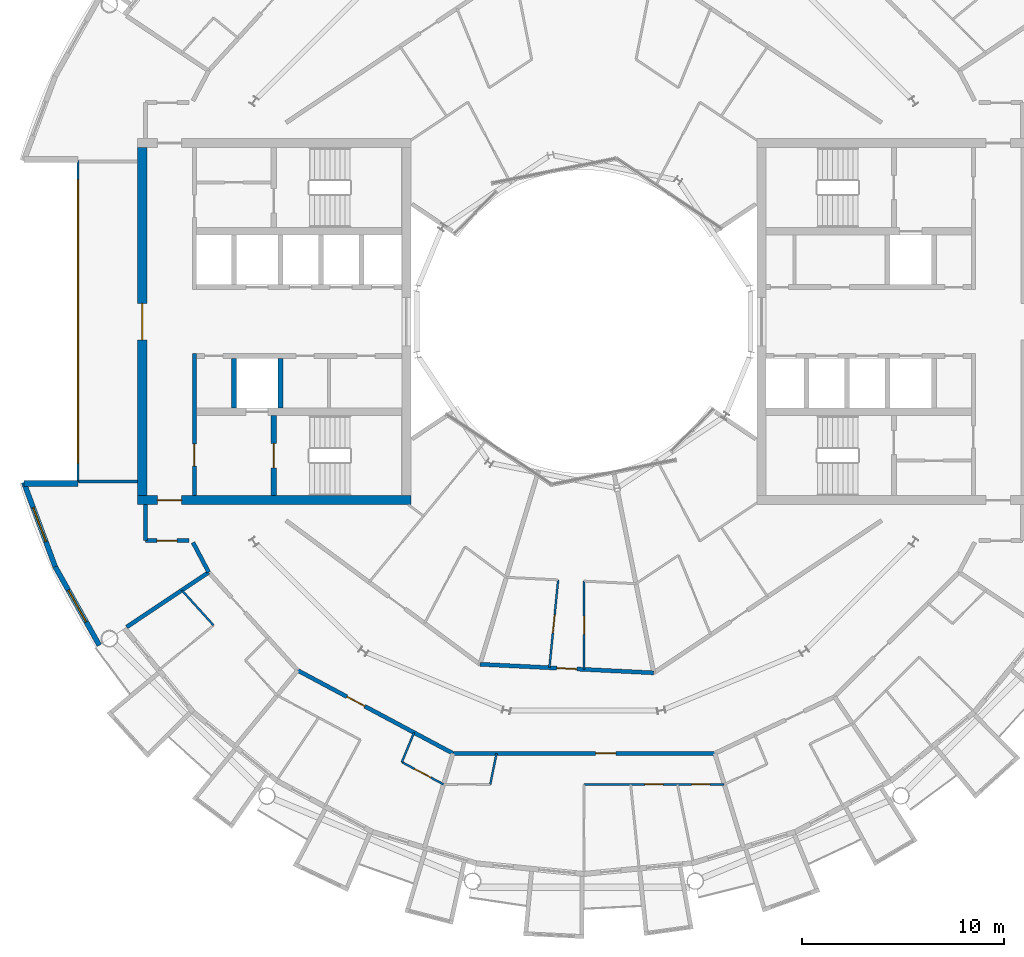
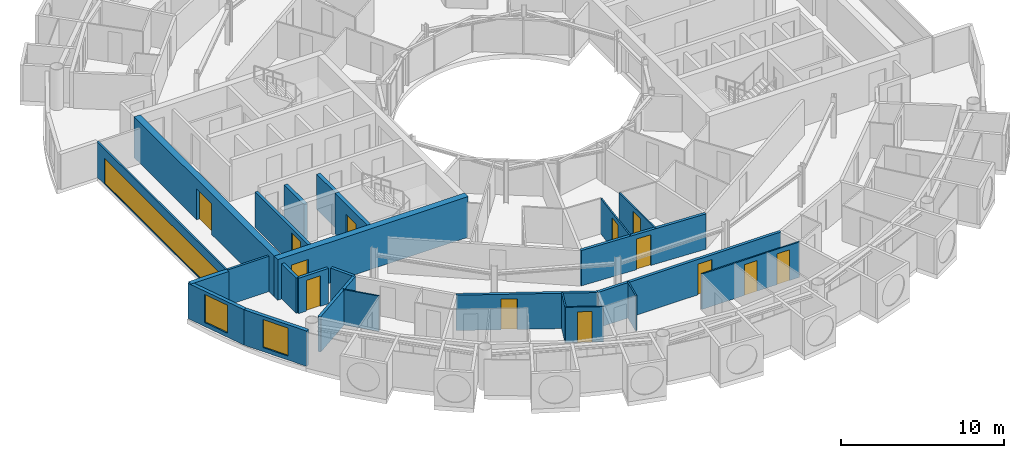
# One storey, part 16 of 28: 25 walls, 13 doors, 3 windows, 16 openings.
"""IFC4 building model written with IfcOpenShell, lengths in metres."""

from ifc_helpers import new_model, si_unit, direction, frame, frame_2d, origin, place, context, subcontext, project, spatial, rectangle, extrude, material, layer, layer_set, type_object, element, fill, save


model = new_model("IFC4")

# Units and contexts
model_context = context("Model", 3, precision=1e-05, world=origin(), true_north=direction((0.0, 1.0)))
body_context = subcontext(model_context, "Body", "Model", "MODEL_VIEW")
ifc_project = project(units=[si_unit("LENGTHUNIT", "METRE"), si_unit("AREAUNIT", "SQUARE_METRE"), si_unit("VOLUMEUNIT", "CUBIC_METRE"), si_unit("PLANEANGLEUNIT", "RADIAN"), si_unit("MASSUNIT", "GRAM", prefix="KILO")], contexts=[model_context])

# Site, building, storey
site_placement = place(None, origin())
site = spatial("IfcSite", under=ifc_project, at=site_placement, CompositionType="ELEMENT")
building_placement = place(site_placement, origin())
building = spatial("IfcBuilding", under=site, at=building_placement, Name="Maasbend Ring Residences", CompositionType="ELEMENT")
storey_placement = place(building_placement, frame((0.0, 0.0, 218.800048828125)))
storey = spatial("IfcBuildingStorey", under=building, at=storey_placement, Name="L63", CompositionType="ELEMENT", Elevation=218.800048828125)

# Wall, opening, door
ifc_material_1 = material(Name="Concrete C50/60", Category="concrete")
ifc_layer_1 = layer(ifc_material_1, 0.25)
ifc_layer_set_1 = layer_set([ifc_layer_1], Name="Concrete C50/60")
wall_type_1 = type_object("IfcWallType", Name="CORE WALL 250 C50/60", PredefinedType="SHEAR", material=ifc_layer_set_1)
wall_1_placement = place(storey_placement, frame((-15.324951171875, -4.64990234375, 0.0), z_axis=(0.0, 0.0, 1.0), x_axis=(0.0, -1.0, 0.0)))
wall_1 = element("IfcWall", 1, at=wall_1_placement, inside=storey, type_object=wall_type_1, Name="L63 core W wall STEN", PredefinedType="SHEAR", context=body_context, shape_type="SweptSolid", body=[
    extrude(rectangle(XDim=3.9501953125, YDim=0.25, at=frame_2d((1.97509765625, 0.0))), origin(), (0.0, 0.0, 1.0), 3.050048828125),
])
opening_1_placement = place(wall_1_placement, frame((1.375, 0.0, 0.0)))
opening_1 = element("IfcOpeningElement", 2, at=opening_1_placement, cuts=wall_1, Name="Opening D-W6310", PredefinedType="OPENING", context=body_context, shape_type="SweptSolid", body=[
    extrude(rectangle(XDim=1.199951171875, YDim=2.300048828125, at=frame_2d((0.60009765625, 1.14990234375))), frame((0.0, 0.135009765625, 0.0), z_axis=(0.0, -1.0, 0.0), x_axis=(1.0, 0.0, 0.0)), (0.0, 0.0, 1.0), 0.27001953125),
])
ifc_material_2 = material(Name="Steel, powder coated", Category="steel")
door_type_1 = type_object("IfcDoorType", Name="STAIR DOOR 1200 X 2300 FD60", OperationType="NOTDEFINED", PredefinedType="DOOR", material=ifc_material_2)
door_1_placement = place(opening_1_placement, origin())
door_1 = element("IfcDoor", 3, at=door_1_placement, inside=storey, type_object=door_type_1, Name="Stair door ST-W L63", OperationType="SINGLE_SWING_LEFT", OverallHeight=2.300048828125, OverallWidth=1.199951171875, PredefinedType="DOOR", context=body_context, shape_type="SweptSolid", body=[
    extrude(rectangle(XDim=1.199951171875, YDim=2.300048828125, at=frame_2d((0.60009765625, 1.14990234375))), frame((0.0, 0.02490234375, 0.0), z_axis=(0.0, -1.0, 0.0), x_axis=(1.0, 0.0, 0.0)), (0.0, 0.0, 1.0), 0.050048828125),
])
fill(opening_1, door_1)

ifc_material_3 = material(Name="Concrete C50/60", Category="concrete")
ifc_layer_2 = layer(ifc_material_3, 0.449951171875)
ifc_layer_set_2 = layer_set([ifc_layer_2], Name="Concrete C50/60")
wall_type_2 = type_object("IfcWallType", Name="CORE WALL 450 C50/60", PredefinedType="SHEAR", material=ifc_layer_set_2)
wall_2_placement = place(storey_placement, frame((-22.050048828125, -8.824951171875, 0.0), z_axis=(0.0, 0.0, 1.0), x_axis=(1.0, 0.0, 0.0)))
wall_2 = element("IfcWall", 4, at=wall_2_placement, inside=storey, type_object=wall_type_2, Name="L63 core W wall PN", PredefinedType="SHEAR", context=body_context, shape_type="SweptSolid", body=[
    extrude(rectangle(XDim=13.5, YDim=0.449951171875, at=frame_2d((6.75, 0.0))), origin(), (0.0, 0.0, 1.0), 3.050048828125),
])
opening_2_placement = place(wall_2_placement, frame((0.97509765625, 0.0, 0.0)))
opening_2 = element("IfcOpeningElement", 5, at=opening_2_placement, cuts=wall_2, Name="Opening D-W6314", PredefinedType="OPENING", context=body_context, shape_type="SweptSolid", body=[
    extrude(rectangle(XDim=1.199951171875, YDim=2.300048828125, at=frame_2d((0.60009765625, 1.14990234375))), frame((0.0, 0.23486328125, 0.0), z_axis=(0.0, -1.0, 0.0), x_axis=(1.0, 0.0, 0.0)), (0.0, 0.0, 1.0), 0.469970703125),
])
ifc_material_4 = material(Name="Steel, powder coated", Category="steel")
door_type_2 = type_object("IfcDoorType", Name="CORRIDOR DOOR 1200 X 2300 FD30S", OperationType="NOTDEFINED", PredefinedType="DOOR", material=ifc_material_4)
door_2_placement = place(opening_2_placement, origin())
door_2 = element("IfcDoor", 6, at=door_2_placement, inside=storey, type_object=door_type_2, Name="Corridor door L63", OperationType="SINGLE_SWING_RIGHT", OverallHeight=2.300048828125, OverallWidth=1.199951171875, PredefinedType="DOOR", context=body_context, shape_type="SweptSolid", body=[
    extrude(rectangle(XDim=1.199951171875, YDim=2.300048828125, at=frame_2d((0.60009765625, 1.14990234375))), frame((0.0, 0.02490234375, 0.0), z_axis=(0.0, -1.0, 0.0), x_axis=(1.0, 0.0, 0.0)), (0.0, 0.0, 1.0), 0.050048828125),
])
fill(opening_2, door_2)

wall_3_placement = place(storey_placement, frame((-21.824951171875, -8.60009765625, 0.0), z_axis=(0.0, 0.0, 1.0), x_axis=(0.0, 1.0, 0.0)))
wall_3 = element("IfcWall", 7, at=wall_3_placement, inside=storey, type_object=wall_type_2, Name="L63 core W wall POUT", PredefinedType="SHEAR", context=body_context, shape_type="SweptSolid", body=[
    extrude(rectangle(XDim=17.2001953125, YDim=0.449951171875, at=frame_2d((8.60009765625, 0.0))), origin(), (0.0, 0.0, 1.0), 3.050048828125),
])
opening_3_placement = place(wall_3_placement, frame((7.699951171875, 0.0, 0.0)))
opening_3 = element("IfcOpeningElement", 8, at=opening_3_placement, cuts=wall_3, Name="Opening D-W6316", PredefinedType="OPENING", context=body_context, shape_type="SweptSolid", body=[
    extrude(rectangle(XDim=1.800048828125, YDim=2.300048828125, at=frame_2d((0.89990234375, 1.14990234375))), frame((0.0, 0.23486328125, 0.0), z_axis=(0.0, -1.0, 0.0), x_axis=(1.0, 0.0, 0.0)), (0.0, 0.0, 1.0), 0.469970703125),
])
ifc_material_5 = material(Name="Aluminium frame, clear glass", Category="aluminium")
door_type_3 = type_object("IfcDoorType", Name="ENTRANCE DOOR 1800 X 2300 FD60", OperationType="NOTDEFINED", PredefinedType="DOOR", material=ifc_material_5)
door_3_placement = place(opening_3_placement, origin())
door_3 = element("IfcDoor", 9, at=door_3_placement, inside=storey, type_object=door_type_3, Name="Lobby glazed door L63", OperationType="SINGLE_SWING_LEFT", OverallHeight=2.300048828125, OverallWidth=1.800048828125, PredefinedType="DOOR", context=body_context, shape_type="SweptSolid", body=[
    extrude(rectangle(XDim=1.800048828125, YDim=2.300048828125, at=frame_2d((0.89990234375, 1.14990234375))), frame((0.0, 0.02490234375, 0.0), z_axis=(0.0, -1.0, 0.0), x_axis=(1.0, 0.0, 0.0)), (0.0, 0.0, 1.0), 0.050048828125),
])
fill(opening_3, door_3)

# Wall
ifc_material_6 = material(Name="Concrete C30/37", Category="concrete")
ifc_layer_3 = layer(ifc_material_6, 0.199951171875)
ifc_layer_set_3 = layer_set([ifc_layer_3], Name="Concrete C30/37")
wall_type_3 = type_object("IfcWallType", Name="CORRIDOR WALL 200 CONCRETE", PredefinedType="PARTITIONING", material=ifc_layer_set_3)
wall_4_placement = place(storey_placement, frame((-19.31689453125, -10.9150390625, 0.0), z_axis=(0.0, 0.0, 1.0), x_axis=(0.465359652486, -0.885121683068, 0.0)))
element("IfcWall", 10, at=wall_4_placement, inside=storey, type_object=wall_type_3, Name="U-L63-w011", PredefinedType="PARTITIONING", context=body_context, shape_type="SweptSolid", body=[
    extrude(rectangle(XDim=1.665283203125, YDim=0.199951171875, at=frame_2d((0.83251953125, 0.0))), origin(), (0.0, 0.0, 1.0), 2.64990234375),
])

# Wall, opening, door
wall_5_placement = place(storey_placement, frame((-14.14697265625, -17.238037109375, 0.0), z_axis=(0.0, 0.0, 1.0), x_axis=(0.881941116964, -0.471359593312, 0.0)))
wall_5 = element("IfcWall", 11, at=wall_5_placement, inside=storey, type_object=wall_type_3, Name="U-L63-w015", PredefinedType="PARTITIONING", context=body_context, shape_type="SweptSolid", body=[
    extrude(rectangle(XDim=8.70458984375, YDim=0.199951171875, at=frame_2d((4.352294921875, 0.0))), origin(), (0.0, 0.0, 1.0), 2.64990234375),
])
opening_4_placement = place(wall_5_placement, frame((2.762939453125, 0.0, 0.0)))
opening_4 = element("IfcOpeningElement", 12, at=opening_4_placement, cuts=wall_5, Name="Opening D-6331", PredefinedType="OPENING", context=body_context, shape_type="SweptSolid", body=[
    extrude(rectangle(XDim=1.0, YDim=2.300048828125, at=frame_2d((0.5, 1.14990234375))), frame((0.0, 0.10986328125, 0.0), z_axis=(0.0, -1.0, 0.0), x_axis=(1.0, 0.0, 0.0)), (0.0, 0.0, 1.0), 0.219970703125),
])
ifc_material_7 = material(Name="Timber, fire-rated, painted", Category="wood")
door_type_4 = type_object("IfcDoorType", Name="FLAT ENTRANCE DOOR 1000 X 2300 FIRE-RATED", OperationType="NOTDEFINED", PredefinedType="DOOR", material=ifc_material_7)
door_4_placement = place(opening_4_placement, origin())
door_4 = element("IfcDoor", 13, at=door_4_placement, inside=storey, type_object=door_type_4, Name="D-6331", OperationType="SINGLE_SWING_LEFT", OverallHeight=2.300048828125, OverallWidth=1.0, PredefinedType="DOOR", context=body_context, shape_type="SweptSolid", body=[
    extrude(rectangle(XDim=1.0, YDim=2.300048828125, at=frame_2d((0.5, 1.14990234375))), frame((0.0, 0.02490234375, 0.0), z_axis=(0.0, -1.0, 0.0), x_axis=(1.0, 0.0, 0.0)), (0.0, 0.0, 1.0), 0.050048828125),
])
fill(opening_4, door_4)

wall_6_placement = place(storey_placement, frame((-6.472900390625, -21.340087890625, 0.0), z_axis=(0.0, 0.0, 1.0), x_axis=(1.0, 0.0, 0.0)))
wall_6 = element("IfcWall", 14, at=wall_6_placement, inside=storey, type_object=wall_type_3, Name="U-L63-w019", PredefinedType="PARTITIONING", context=body_context, shape_type="SweptSolid", body=[
    extrude(rectangle(XDim=12.94580078125, YDim=0.199951171875, at=frame_2d((6.472900390625, 0.0))), origin(), (0.0, 0.0, 1.0), 2.64990234375),
])
opening_5_placement = place(wall_6_placement, frame((7.051025390625, 0.0, 0.0)))
opening_5 = element("IfcOpeningElement", 15, at=opening_5_placement, cuts=wall_6, Name="Opening D-6335", PredefinedType="OPENING", context=body_context, shape_type="SweptSolid", body=[
    extrude(rectangle(XDim=1.0, YDim=2.300048828125, at=frame_2d((0.5, 1.14990234375))), frame((0.0, 0.10986328125, 0.0), z_axis=(0.0, -1.0, 0.0), x_axis=(1.0, 0.0, 0.0)), (0.0, 0.0, 1.0), 0.219970703125),
])
door_5_placement = place(opening_5_placement, origin())
door_5 = element("IfcDoor", 16, at=door_5_placement, inside=storey, type_object=door_type_4, Name="D-6335", OperationType="SINGLE_SWING_RIGHT", OverallHeight=2.300048828125, OverallWidth=1.0, PredefinedType="DOOR", context=body_context, shape_type="SweptSolid", body=[
    extrude(rectangle(XDim=1.0, YDim=2.300048828125, at=frame_2d((0.5, 1.14990234375))), frame((0.0, 0.02490234375, 0.0), z_axis=(0.0, -1.0, 0.0), x_axis=(1.0, 0.0, 0.0)), (0.0, 0.0, 1.0), 0.050048828125),
])
fill(opening_5, door_5)

wall_7_placement = place(storey_placement, frame((-5.137939453125, -16.93798828125, 0.0), z_axis=(0.0, 0.0, 1.0), x_axis=(0.998789433108, -0.049190124121, 0.0)))
wall_7 = element("IfcWall", 17, at=wall_7_placement, inside=storey, type_object=wall_type_3, Name="U-L63-w020", PredefinedType="PARTITIONING", context=body_context, shape_type="SweptSolid", body=[
    extrude(rectangle(XDim=8.601318359375, YDim=0.199951171875, at=frame_2d((4.30078125, 0.0))), origin(), (0.0, 0.0, 1.0), 2.64990234375),
])
opening_6_placement = place(wall_7_placement, frame((3.802001953125, 0.0, 0.0)))
opening_6 = element("IfcOpeningElement", 18, at=opening_6_placement, cuts=wall_7, Name="Opening D-6351", PredefinedType="OPENING", context=body_context, shape_type="SweptSolid", body=[
    extrude(rectangle(XDim=1.0, YDim=2.300048828125, at=frame_2d((0.5, 1.14990234375))), frame((0.0, 0.10986328125, 0.0), z_axis=(0.0, -1.0, 0.0), x_axis=(1.0, 0.0, 0.0)), (0.0, 0.0, 1.0), 0.219970703125),
])
door_6_placement = place(opening_6_placement, origin())
door_6 = element("IfcDoor", 19, at=door_6_placement, inside=storey, type_object=door_type_4, Name="D-6351", OperationType="SINGLE_SWING_RIGHT", OverallHeight=2.300048828125, OverallWidth=1.0, PredefinedType="DOOR", context=body_context, shape_type="SweptSolid", body=[
    extrude(rectangle(XDim=1.0, YDim=2.300048828125, at=frame_2d((0.5, 1.14990234375))), frame((0.0, 0.02490234375, 0.0), z_axis=(0.0, -1.0, 0.0), x_axis=(1.0, 0.0, 0.0)), (0.0, 0.0, 1.0), 0.050048828125),
])
fill(opening_6, door_6)

wall_8_placement = place(storey_placement, frame((-21.675048828125, -10.824951171875, 0.0), z_axis=(0.0, 0.0, 1.0), x_axis=(1.0, 0.0, 0.0)))
wall_8 = element("IfcWall", 20, at=wall_8_placement, inside=storey, type_object=wall_type_3, Name="U-L63-w029", PredefinedType="PARTITIONING", context=body_context, shape_type="SweptSolid", body=[
    extrude(rectangle(XDim=2.152099609375, YDim=0.199951171875, at=frame_2d((1.076171875, 0.0))), origin(), (0.0, 0.0, 1.0), 2.64990234375),
])
opening_7_placement = place(wall_8_placement, frame((0.575927734375, 0.0, 0.0)))
opening_7 = element("IfcOpeningElement", 21, at=opening_7_placement, cuts=wall_8, Name="Opening D-6358", PredefinedType="OPENING", context=body_context, shape_type="SweptSolid", body=[
    extrude(rectangle(XDim=1.0, YDim=2.300048828125, at=frame_2d((0.5, 1.14990234375))), frame((0.0, 0.10986328125, 0.0), z_axis=(0.0, -1.0, 0.0), x_axis=(1.0, 0.0, 0.0)), (0.0, 0.0, 1.0), 0.219970703125),
])
ifc_material_8 = material(Name="Timber, painted", Category="wood")
door_type_5 = type_object("IfcDoorType", Name="ROOM DOOR 1000 X 2300", OperationType="NOTDEFINED", PredefinedType="DOOR", material=ifc_material_8)
door_7_placement = place(opening_7_placement, origin())
door_7 = element("IfcDoor", 22, at=door_7_placement, inside=storey, type_object=door_type_5, Name="D-6358", OperationType="SINGLE_SWING_LEFT", OverallHeight=2.300048828125, OverallWidth=1.0, PredefinedType="DOOR", context=body_context, shape_type="SweptSolid", body=[
    extrude(rectangle(XDim=1.0, YDim=2.300048828125, at=frame_2d((0.5, 1.14990234375))), frame((0.0, 0.02490234375, 0.0), z_axis=(0.0, -1.0, 0.0), x_axis=(1.0, 0.0, 0.0)), (0.0, 0.0, 1.0), 0.050048828125),
])
fill(opening_7, door_7)

# Wall
wall_9_placement = place(storey_placement, frame((-21.675048828125, -10.824951171875, 0.0), z_axis=(0.0, 0.0, 1.0), x_axis=(0.0, 1.0, 0.0)))
element("IfcWall", 23, at=wall_9_placement, inside=storey, type_object=wall_type_3, Name="U-L63-w100", PredefinedType="PARTITIONING", context=body_context, shape_type="SweptSolid", body=[
    extrude(rectangle(XDim=1.77490234375, YDim=0.199951171875, at=frame_2d((0.887451171875, 0.0))), origin(), (0.0, 0.0, 1.0), 2.64990234375),
])

# Wall, opening, window
ifc_material_9 = material(Name="Aluminium clad insulated panel", Category="aluminium")
ifc_layer_4 = layer(ifc_material_9, 0.25)
ifc_layer_set_4 = layer_set([ifc_layer_4], Name="EW-HORN")
wall_type_4 = type_object("IfcWallType", Name="EW-HORN", PredefinedType="SOLIDWALL", material=ifc_layer_set_4)
wall_10_placement = place(storey_placement, frame((-27.681884765625, -7.945068359375, 0.0), z_axis=(0.0, 0.0, 1.0), x_axis=(0.349247811493, -0.937030397675, 0.0)))
wall_10 = element("IfcWall", 24, at=wall_10_placement, inside=storey, type_object=wall_type_4, Name="Horn wall 3.1", PredefinedType="SOLIDWALL", context=body_context, shape_type="SweptSolid", body=[
    extrude(rectangle(XDim=4.4521484375, YDim=0.25, at=frame_2d((2.22607421875, 0.0))), origin(), (0.0, 0.0, 1.0), 2.64990234375),
])
opening_8_placement = place(wall_10_placement, frame((1.32666015625, 0.0, 0.300048828125)))
opening_8 = element("IfcOpeningElement", 25, at=opening_8_placement, cuts=wall_10, Name="Opening W-BX", PredefinedType="OPENING", context=body_context, shape_type="SweptSolid", body=[
    extrude(rectangle(XDim=1.800048828125, YDim=2.10009765625, at=frame_2d((0.89990234375, 1.050048828125))), frame((0.0, 0.135009765625, 0.0), z_axis=(0.0, -1.0, 0.0), x_axis=(1.0, 0.0, 0.0)), (0.0, 0.0, 1.0), 0.27001953125),
])
ifc_material_10 = material(Name="Aluminium and clear glass", Category="aluminium")
window_type_1 = type_object("IfcWindowType", Name="W-BX", PartitioningType="DOUBLE_PANEL_VERTICAL", PredefinedType="WINDOW", material=ifc_material_10)
window_1_placement = place(opening_8_placement, origin())
window_1 = element("IfcWindow", 26, at=window_1_placement, inside=storey, type_object=window_type_1, Name="Horn window 3.1", OverallHeight=2.10009765625, OverallWidth=1.800048828125, PartitioningType="SINGLE_PANEL", PredefinedType="WINDOW", context=body_context, shape_type="SweptSolid", body=[
    extrude(rectangle(XDim=1.800048828125, YDim=2.10009765625, at=frame_2d((0.89990234375, 1.050048828125))), frame((0.0, 0.030029296875, 0.0), z_axis=(0.0, -1.0, 0.0), x_axis=(1.0, 0.0, 0.0)), (0.0, 0.0, 1.0), 0.06005859375),
])
fill(opening_8, window_1)

wall_11_placement = place(storey_placement, frame((-26.126953125, -12.116943359375, 0.0), z_axis=(0.0, 0.0, 1.0), x_axis=(0.489696356642, -0.871893042919, 0.0)))
wall_11 = element("IfcWall", 27, at=wall_11_placement, inside=storey, type_object=wall_type_4, Name="Horn wall 3.2", PredefinedType="SOLIDWALL", context=body_context, shape_type="SweptSolid", body=[
    extrude(rectangle(XDim=4.45361328125, YDim=0.25, at=frame_2d((2.226806640625, 0.0))), origin(), (0.0, 0.0, 1.0), 2.64990234375),
])
opening_9_placement = place(wall_11_placement, frame((1.32666015625, 0.0, 0.300048828125)))
opening_9 = element("IfcOpeningElement", 28, at=opening_9_placement, cuts=wall_11, Name="Opening W-BX", PredefinedType="OPENING", context=body_context, shape_type="SweptSolid", body=[
    extrude(rectangle(XDim=1.800048828125, YDim=2.10009765625, at=frame_2d((0.89990234375, 1.050048828125))), frame((0.0, 0.135009765625, 0.0), z_axis=(0.0, -1.0, 0.0), x_axis=(1.0, 0.0, 0.0)), (0.0, 0.0, 1.0), 0.27001953125),
])
window_2_placement = place(opening_9_placement, origin())
window_2 = element("IfcWindow", 29, at=window_2_placement, inside=storey, type_object=window_type_1, Name="Horn window 3.2", OverallHeight=2.10009765625, OverallWidth=1.800048828125, PartitioningType="SINGLE_PANEL", PredefinedType="WINDOW", context=body_context, shape_type="SweptSolid", body=[
    extrude(rectangle(XDim=1.800048828125, YDim=2.10009765625, at=frame_2d((0.89990234375, 1.050048828125))), frame((0.0, 0.030029296875, 0.0), z_axis=(0.0, -1.0, 0.0), x_axis=(1.0, 0.0, 0.0)), (0.0, 0.0, 1.0), 0.06005859375),
])
fill(opening_9, window_2)

# Wall
ifc_material_11 = material(Name="Aluminium clad insulated panel", Category="aluminium")
ifc_layer_5 = layer(ifc_material_11, 0.300048828125)
ifc_layer_set_5 = layer_set([ifc_layer_5], Name="EW-RET")
wall_type_5 = type_object("IfcWallType", Name="EW-RET", PredefinedType="SOLIDWALL", material=ifc_layer_set_5)
wall_12_placement = place(storey_placement, frame((-25.0, -8.0, 0.0), z_axis=(0.0, 0.0, 1.0), x_axis=(-1.0, 0.0, 0.0)))
element("IfcWall", 30, at=wall_12_placement, inside=storey, type_object=wall_type_5, Name="Notch return wall west south", PredefinedType="SOLIDWALL", context=body_context, shape_type="SweptSolid", body=[
    extrude(rectangle(XDim=2.6669921875, YDim=0.300048828125, at=frame_2d((1.33349609375, 0.0))), origin(), (0.0, 0.0, 1.0), 2.64990234375),
])

# Wall, opening, window
ifc_material_12 = material(Name="Aluminium frame and clear glass", Category="aluminium")
ifc_layer_6 = layer(ifc_material_12, 0.1201171875)
ifc_layer_set_6 = layer_set([ifc_layer_6], Name="GLAZED SCREEN WALL 120 EI 60")
wall_type_6 = type_object("IfcWallType", Name="GLAZED SCREEN WALL 120 EI 60", PredefinedType="PARTITIONING", material=ifc_layer_set_6)
wall_13_placement = place(storey_placement, frame((-25.0, 7.949951171875, 0.0), z_axis=(0.0, 0.0, 1.0), x_axis=(0.0, -1.0, 0.0)))
wall_13 = element("IfcWall", 31, at=wall_13_placement, inside=storey, type_object=wall_type_6, Name="L63 core W wall FACE", PredefinedType="PARTITIONING", context=body_context, shape_type="SweptSolid", body=[
    extrude(rectangle(XDim=15.89990234375, YDim=0.1201171875, at=frame_2d((7.949951171875, 0.0))), origin(), (0.0, 0.0, 1.0), 2.64990234375),
])
opening_10_placement = place(wall_13_placement, frame((0.949951171875, 0.0, 0.10009765625)))
opening_10 = element("IfcOpeningElement", 32, at=opening_10_placement, cuts=wall_13, Name="Opening W-W6302", PredefinedType="OPENING", context=body_context, shape_type="SweptSolid", body=[
    extrude(rectangle(XDim=14.0, YDim=1.85009765625, at=frame_2d((7.0, 0.925048828125))), frame((0.0, 0.070068359375, 0.0), z_axis=(0.0, -1.0, 0.0), x_axis=(1.0, 0.0, 0.0)), (0.0, 0.0, 1.0), 0.14013671875),
])
ifc_material_13 = material(Name="Aluminium frame and clear glass", Category="aluminium")
window_type_2 = type_object("IfcWindowType", Name="FIXED WINDOW 14000 X 1850", PartitioningType="SINGLE_PANEL", PredefinedType="WINDOW", material=ifc_material_13)
window_3_placement = place(opening_10_placement, origin())
window_3 = element("IfcWindow", 33, at=window_3_placement, inside=storey, type_object=window_type_2, Name="Lobby window L63", OverallHeight=1.85009765625, OverallWidth=14.0, PartitioningType="SINGLE_PANEL", PredefinedType="WINDOW", context=body_context, shape_type="SweptSolid", body=[
    extrude(rectangle(XDim=14.0, YDim=1.85009765625, at=frame_2d((7.0, 0.925048828125))), frame((0.0, 0.030029296875, 0.0), z_axis=(0.0, -1.0, 0.0), x_axis=(1.0, 0.0, 0.0)), (0.0, 0.0, 1.0), 0.06005859375),
])
fill(opening_10, window_3)

# Wall
ifc_material_14 = material(Name="Gypsum board on steel studs", Category="steel")
ifc_layer_7 = layer(ifc_material_14, 0.10009765625)
ifc_layer_set_7 = layer_set([ifc_layer_7], Name="PARTITION 100 GYPSUM")
wall_type_7 = type_object("IfcWallType", Name="PARTITION 100 GYPSUM", PredefinedType="PARTITIONING", material=ifc_layer_set_7)
wall_14_placement = place(storey_placement, frame((-19.8720703125, -13.278076171875, 0.0), z_axis=(0.0, 0.0, 1.0), x_axis=(0.671637685376, -0.740879760544, 0.0)))
element("IfcWall", 34, at=wall_14_placement, inside=storey, type_object=wall_type_7, Name="U-L63-w001", PredefinedType="PARTITIONING", context=body_context, shape_type="SweptSolid", body=[
    extrude(rectangle(XDim=2.337646484375, YDim=0.10009765625, at=frame_2d((1.1689453125, 0.0))), origin(), (0.0, 0.0, 1.0), 2.64990234375),
])

# Wall, opening, door
wall_15_placement = place(storey_placement, frame((-8.993896484375, -21.77197265625, 0.0), z_axis=(0.0, 0.0, 1.0), x_axis=(0.881882873346, -0.471468554305, 0.0)))
wall_15 = element("IfcWall", 35, at=wall_15_placement, inside=storey, type_object=wall_type_7, Name="U-L63-w006", PredefinedType="PARTITIONING", context=body_context, shape_type="SweptSolid", body=[
    extrude(rectangle(XDim=2.331298828125, YDim=0.10009765625, at=frame_2d((1.16552734375, 0.0))), origin(), (0.0, 0.0, 1.0), 2.64990234375),
])
opening_11_placement = place(wall_15_placement, frame((0.716064453125, 0.0, 0.0)))
opening_11 = element("IfcOpeningElement", 36, at=opening_11_placement, cuts=wall_15, Name="Opening D-6332", PredefinedType="OPENING", context=body_context, shape_type="SweptSolid", body=[
    extrude(rectangle(XDim=0.89990234375, YDim=2.300048828125, at=frame_2d((0.449951171875, 1.14990234375))), frame((0.0, 0.06005859375, 0.0), z_axis=(0.0, -1.0, 0.0), x_axis=(1.0, 0.0, 0.0)), (0.0, 0.0, 1.0), 0.1201171875),
])
ifc_material_15 = material(Name="Timber, painted", Category="wood")
door_type_6 = type_object("IfcDoorType", Name="INTERNAL DOOR 900 X 2300", OperationType="NOTDEFINED", PredefinedType="DOOR", material=ifc_material_15)
door_8_placement = place(opening_11_placement, origin())
door_8 = element("IfcDoor", 37, at=door_8_placement, inside=storey, type_object=door_type_6, Name="D-6332", OperationType="SINGLE_SWING_RIGHT", OverallHeight=2.300048828125, OverallWidth=0.89990234375, PredefinedType="DOOR", context=body_context, shape_type="SweptSolid", body=[
    extrude(rectangle(XDim=0.89990234375, YDim=2.300048828125, at=frame_2d((0.449951171875, 1.14990234375))), frame((0.0, 0.02490234375, 0.0), z_axis=(0.0, -1.0, 0.0), x_axis=(1.0, 0.0, 0.0)), (0.0, 0.0, 1.0), 0.050048828125),
])
fill(opening_11, door_8)

# Wall, openings, doors
wall_16_placement = place(storey_placement, frame((0.0, -22.87109375, 0.0), z_axis=(0.0, 0.0, 1.0), x_axis=(1.0, 0.0, 0.0)))
wall_16 = element("IfcWall", 38, at=wall_16_placement, inside=storey, type_object=wall_type_7, Name="U-L63-w010", PredefinedType="PARTITIONING", context=body_context, shape_type="SweptSolid", body=[
    extrude(rectangle(XDim=6.93798828125, YDim=0.10009765625, at=frame_2d((3.468994140625, 0.0))), origin(), (0.0, 0.0, 1.0), 2.64990234375),
])
opening_12_placement = place(wall_16_placement, frame((3.01904296875, 0.0, 0.0)))
opening_12 = element("IfcOpeningElement", 39, at=opening_12_placement, cuts=wall_16, Name="Opening D-6338", PredefinedType="OPENING", context=body_context, shape_type="SweptSolid", body=[
    extrude(rectangle(XDim=0.89990234375, YDim=2.300048828125, at=frame_2d((0.449951171875, 1.14990234375))), frame((0.0, 0.06005859375, 0.0), z_axis=(0.0, -1.0, 0.0), x_axis=(1.0, 0.0, 0.0)), (0.0, 0.0, 1.0), 0.1201171875),
])
opening_13_placement = place(wall_16_placement, frame((5.3310546875, 0.0, 0.0)))
opening_13 = element("IfcOpeningElement", 40, at=opening_13_placement, cuts=wall_16, Name="Opening D-6339", PredefinedType="OPENING", context=body_context, shape_type="SweptSolid", body=[
    extrude(rectangle(XDim=0.89990234375, YDim=2.300048828125, at=frame_2d((0.449951171875, 1.14990234375))), frame((0.0, 0.06005859375, 0.0), z_axis=(0.0, -1.0, 0.0), x_axis=(1.0, 0.0, 0.0)), (0.0, 0.0, 1.0), 0.1201171875),
])
door_9_placement = place(opening_12_placement, origin())
door_9 = element("IfcDoor", 41, at=door_9_placement, inside=storey, type_object=door_type_6, Name="D-6338", OperationType="SINGLE_SWING_RIGHT", OverallHeight=2.300048828125, OverallWidth=0.89990234375, PredefinedType="DOOR", context=body_context, shape_type="SweptSolid", body=[
    extrude(rectangle(XDim=0.89990234375, YDim=2.300048828125, at=frame_2d((0.449951171875, 1.14990234375))), frame((0.0, 0.02490234375, 0.0), z_axis=(0.0, -1.0, 0.0), x_axis=(1.0, 0.0, 0.0)), (0.0, 0.0, 1.0), 0.050048828125),
])
fill(opening_12, door_9)
door_10_placement = place(opening_13_placement, origin())
door_10 = element("IfcDoor", 42, at=door_10_placement, inside=storey, type_object=door_type_6, Name="D-6339", OperationType="SINGLE_SWING_RIGHT", OverallHeight=2.300048828125, OverallWidth=0.89990234375, PredefinedType="DOOR", context=body_context, shape_type="SweptSolid", body=[
    extrude(rectangle(XDim=0.89990234375, YDim=2.300048828125, at=frame_2d((0.449951171875, 1.14990234375))), frame((0.0, 0.02490234375, 0.0), z_axis=(0.0, -1.0, 0.0), x_axis=(1.0, 0.0, 0.0)), (0.0, 0.0, 1.0), 0.050048828125),
])
fill(opening_13, door_10)

# Wall
wall_17_placement = place(storey_placement, frame((-8.993896484375, -21.77197265625, 0.0), z_axis=(0.0, 0.0, 1.0), x_axis=(0.381535938362, 0.924354005638, 0.0)))
element("IfcWall", 43, at=wall_17_placement, inside=storey, type_object=wall_type_7, Name="U-L63-w048", PredefinedType="PARTITIONING", context=body_context, shape_type="SweptSolid", body=[
    extrude(rectangle(XDim=1.577392578125, YDim=0.10009765625, at=frame_2d((0.78857421875, 0.0))), origin(), (0.0, 0.0, 1.0), 2.64990234375),
])

# Wall, opening, door
wall_18_placement = place(storey_placement, frame((-1.701904296875, -17.10693359375, 0.0), z_axis=(0.0, 0.0, 1.0), x_axis=(0.099004993851, 0.9950869365, 0.0)))
wall_18 = element("IfcWall", 44, at=wall_18_placement, inside=storey, type_object=wall_type_7, Name="U-L63-w057", PredefinedType="PARTITIONING", context=body_context, shape_type="SweptSolid", body=[
    extrude(rectangle(XDim=4.3623046875, YDim=0.10009765625, at=frame_2d((2.18115234375, 0.0))), origin(), (0.0, 0.0, 1.0), 2.64990234375),
])
opening_14_placement = place(wall_18_placement, frame((1.73095703125, 0.0, 0.0)))
opening_14 = element("IfcOpeningElement", 45, at=opening_14_placement, cuts=wall_18, Name="Opening D-6353", PredefinedType="OPENING", context=body_context, shape_type="SweptSolid", body=[
    extrude(rectangle(XDim=0.89990234375, YDim=2.300048828125, at=frame_2d((0.449951171875, 1.14990234375))), frame((0.0, 0.06005859375, 0.0), z_axis=(0.0, -1.0, 0.0), x_axis=(1.0, 0.0, 0.0)), (0.0, 0.0, 1.0), 0.1201171875),
])
door_11_placement = place(opening_14_placement, origin())
door_11 = element("IfcDoor", 46, at=door_11_placement, inside=storey, type_object=door_type_6, Name="D-6353", OperationType="SINGLE_SWING_RIGHT", OverallHeight=2.300048828125, OverallWidth=0.89990234375, PredefinedType="DOOR", context=body_context, shape_type="SweptSolid", body=[
    extrude(rectangle(XDim=0.89990234375, YDim=2.300048828125, at=frame_2d((0.449951171875, 1.14990234375))), frame((0.0, 0.02490234375, 0.0), z_axis=(0.0, -1.0, 0.0), x_axis=(1.0, 0.0, 0.0)), (0.0, 0.0, 1.0), 0.050048828125),
])
fill(opening_14, door_11)

wall_19_placement = place(storey_placement, frame((0.01708984375, -17.19091796875, 0.0), z_axis=(0.0, 0.0, 1.0), x_axis=(-0.001175679402, 0.999999308889, 0.0)))
wall_19 = element("IfcWall", 47, at=wall_19_placement, inside=storey, type_object=wall_type_7, Name="U-L63-w060", PredefinedType="PARTITIONING", context=body_context, shape_type="SweptSolid", body=[
    extrude(rectangle(XDim=4.36083984375, YDim=0.10009765625, at=frame_2d((2.180419921875, 0.0))), origin(), (0.0, 0.0, 1.0), 2.64990234375),
])
opening_15_placement = place(wall_19_placement, frame((1.73095703125, 0.0, 0.0)))
opening_15 = element("IfcOpeningElement", 48, at=opening_15_placement, cuts=wall_19, Name="Opening D-6352", PredefinedType="OPENING", context=body_context, shape_type="SweptSolid", body=[
    extrude(rectangle(XDim=0.89990234375, YDim=2.300048828125, at=frame_2d((0.449951171875, 1.14990234375))), frame((0.0, 0.06005859375, 0.0), z_axis=(0.0, -1.0, 0.0), x_axis=(1.0, 0.0, 0.0)), (0.0, 0.0, 1.0), 0.1201171875),
])
door_12_placement = place(opening_15_placement, origin())
door_12 = element("IfcDoor", 49, at=door_12_placement, inside=storey, type_object=door_type_6, Name="D-6352", OperationType="SINGLE_SWING_RIGHT", OverallHeight=2.300048828125, OverallWidth=0.89990234375, PredefinedType="DOOR", context=body_context, shape_type="SweptSolid", body=[
    extrude(rectangle(XDim=0.89990234375, YDim=2.300048828125, at=frame_2d((0.449951171875, 1.14990234375))), frame((0.0, 0.02490234375, 0.0), z_axis=(0.0, -1.0, 0.0), x_axis=(1.0, 0.0, 0.0)), (0.0, 0.0, 1.0), 0.050048828125),
])
fill(opening_15, door_12)

# Walls
wall_20_placement = place(storey_placement, frame((-4.625, -22.87109375, 0.0), z_axis=(0.0, 0.0, 1.0), x_axis=(0.19788933956, 0.98022436681, 0.0)))
element("IfcWall", 50, at=wall_20_placement, inside=storey, type_object=wall_type_7, Name="U-L63-w086", PredefinedType="PARTITIONING", context=body_context, shape_type="SweptSolid", body=[
    extrude(rectangle(XDim=1.56201171875, YDim=0.10009765625, at=frame_2d((0.781005859375, 0.0))), origin(), (0.0, 0.0, 1.0), 2.64990234375),
])
ifc_material_16 = material(Name="Gypsum board on steel studs", Category="steel")
ifc_layer_8 = layer(ifc_material_16, 0.14990234375)
ifc_layer_set_8 = layer_set([ifc_layer_8], Name="PARTITION 150 EI 60")
wall_type_8 = type_object("IfcWallType", Name="PARTITION 150 EI 60", PredefinedType="PARTITIONING", material=ifc_layer_set_8)
wall_21_placement = place(storey_placement, frame((-22.050048828125, -7.89990234375, 0.0), z_axis=(0.0, 0.0, 1.0), x_axis=(-1.0, 0.0, 0.0)))
element("IfcWall", 51, at=wall_21_placement, inside=storey, type_object=wall_type_8, Name="L63 core W wall CITN", PredefinedType="PARTITIONING", context=body_context, shape_type="SweptSolid", body=[
    extrude(rectangle(XDim=2.889892578125, YDim=0.14990234375, at=frame_2d((1.44482421875, 0.0))), origin(), (0.0, 0.0, 1.0), 2.64990234375),
])
ifc_material_17 = material(Name="Concrete C30/37", Category="concrete")
ifc_layer_9 = layer(ifc_material_17, 0.199951171875)
ifc_layer_set_9 = layer_set([ifc_layer_9], Name="Concrete C30/37")
wall_type_9 = type_object("IfcWallType", Name="PARTY WALL 200 CONCRETE", PredefinedType="PARTITIONING", material=ifc_layer_set_9)
wall_22_placement = place(storey_placement, frame((-22.594970703125, -15.097900390625, 0.0), z_axis=(0.0, 0.0, 1.0), x_axis=(0.831387096605, 0.55569370664, 0.0)))
element("IfcWall", 52, at=wall_22_placement, inside=storey, type_object=wall_type_9, Name="U-L63-w034", PredefinedType="PARTITIONING", context=body_context, shape_type="SweptSolid", body=[
    extrude(rectangle(XDim=4.875, YDim=0.199951171875, at=frame_2d((2.4375, 0.0))), origin(), (0.0, 0.0, 1.0), 2.64990234375),
])

# Wall, opening, door
ifc_material_18 = material(Name="Concrete C30/37", Category="concrete")
ifc_layer_10 = layer(ifc_material_18, 0.199951171875)
ifc_layer_set_10 = layer_set([ifc_layer_10], Name="Concrete C30/37")
wall_type_10 = type_object("IfcWallType", Name="SHAFT WALL 200 EI 120", PredefinedType="SOLIDWALL", material=ifc_layer_set_10)
wall_23_placement = place(storey_placement, frame((-19.25, -1.574951171875, 0.0), z_axis=(0.0, 0.0, 1.0), x_axis=(0.0, -1.0, 0.0)))
wall_23 = element("IfcWall", 53, at=wall_23_placement, inside=storey, type_object=wall_type_10, Name="L63 core W wall ENDN", PredefinedType="SOLIDWALL", context=body_context, shape_type="SweptSolid", body=[
    extrude(rectangle(XDim=7.025146484375, YDim=0.199951171875, at=frame_2d((3.5126953125, 0.0))), origin(), (0.0, 0.0, 1.0), 2.64990234375),
])
opening_16_placement = place(wall_23_placement, frame((4.47509765625, 0.0, 0.0)))
opening_16 = element("IfcOpeningElement", 54, at=opening_16_placement, cuts=wall_23, Name="Opening D-W6312", PredefinedType="OPENING", context=body_context, shape_type="SweptSolid", body=[
    extrude(rectangle(XDim=1.10009765625, YDim=2.300048828125, at=frame_2d((0.550048828125, 1.14990234375))), frame((0.0, 0.10986328125, 0.0), z_axis=(0.0, -1.0, 0.0), x_axis=(1.0, 0.0, 0.0)), (0.0, 0.0, 1.0), 0.219970703125),
])
ifc_material_19 = material(Name="Steel, powder coated", Category="steel")
door_type_7 = type_object("IfcDoorType", Name="LOBBY DOOR 1100 X 2300 FD60", OperationType="NOTDEFINED", PredefinedType="DOOR", material=ifc_material_19)
door_13_placement = place(opening_16_placement, origin())
door_13 = element("IfcDoor", 55, at=door_13_placement, inside=storey, type_object=door_type_7, Name="Lobby door L63", OperationType="SINGLE_SWING_LEFT", OverallHeight=2.300048828125, OverallWidth=1.10009765625, PredefinedType="DOOR", context=body_context, shape_type="SweptSolid", body=[
    extrude(rectangle(XDim=1.10009765625, YDim=2.300048828125, at=frame_2d((0.550048828125, 1.14990234375))), frame((0.0, 0.02490234375, 0.0), z_axis=(0.0, -1.0, 0.0), x_axis=(1.0, 0.0, 0.0)), (0.0, 0.0, 1.0), 0.050048828125),
])
fill(opening_16, door_13)

# Walls
ifc_material_20 = material(Name="Concrete C30/37", Category="concrete")
ifc_layer_11 = layer(ifc_material_20, 0.25)
ifc_layer_set_11 = layer_set([ifc_layer_11], Name="Concrete C30/37")
wall_type_11 = type_object("IfcWallType", Name="SHAFT WALL 250 EI 120", PredefinedType="SOLIDWALL", material=ifc_layer_set_11)
for number, where, z_axis, x_axis, name in (
    (56, (-15.0, -1.824951171875, 0.0), (0.0, 0.0, 1.0), (0.0, -1.0, 0.0), "L63 core W wall D150N"),
    (57, (-17.300048828125, -1.824951171875, 0.0), (0.0, 0.0, 1.0), (0.0, -1.0, 0.0), "L63 core W wall D173N"),
):
    element("IfcWall", number, at=place(storey_placement, frame(where, z_axis=z_axis, x_axis=x_axis)), inside=storey, type_object=wall_type_11, Name=name, PredefinedType="SOLIDWALL", context=body_context, shape_type="SweptSolid", body=[
        extrude(rectangle(XDim=2.449951171875, YDim=0.25, at=frame_2d((1.22509765625, 0.0))), origin(), (0.0, 0.0, 1.0), 2.64990234375),
    ])

save(model, "model.ifc")
